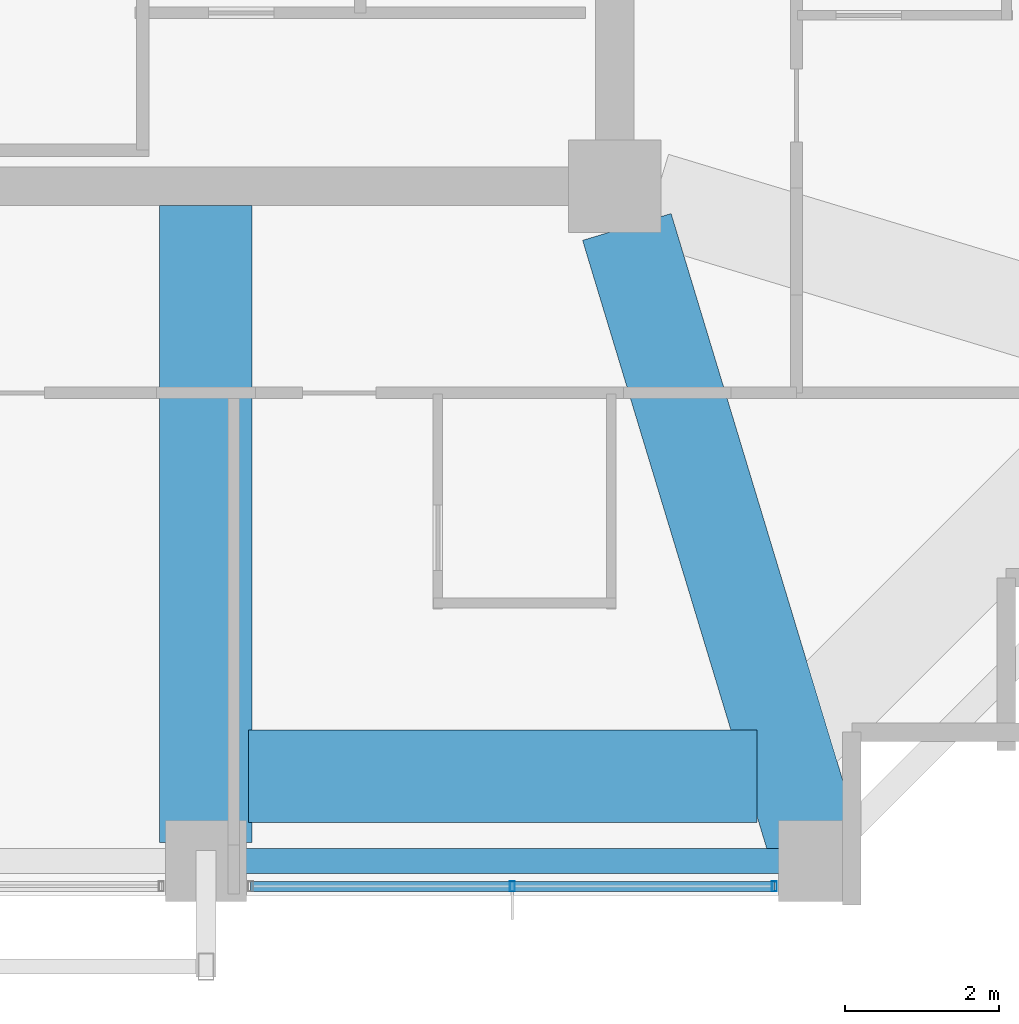
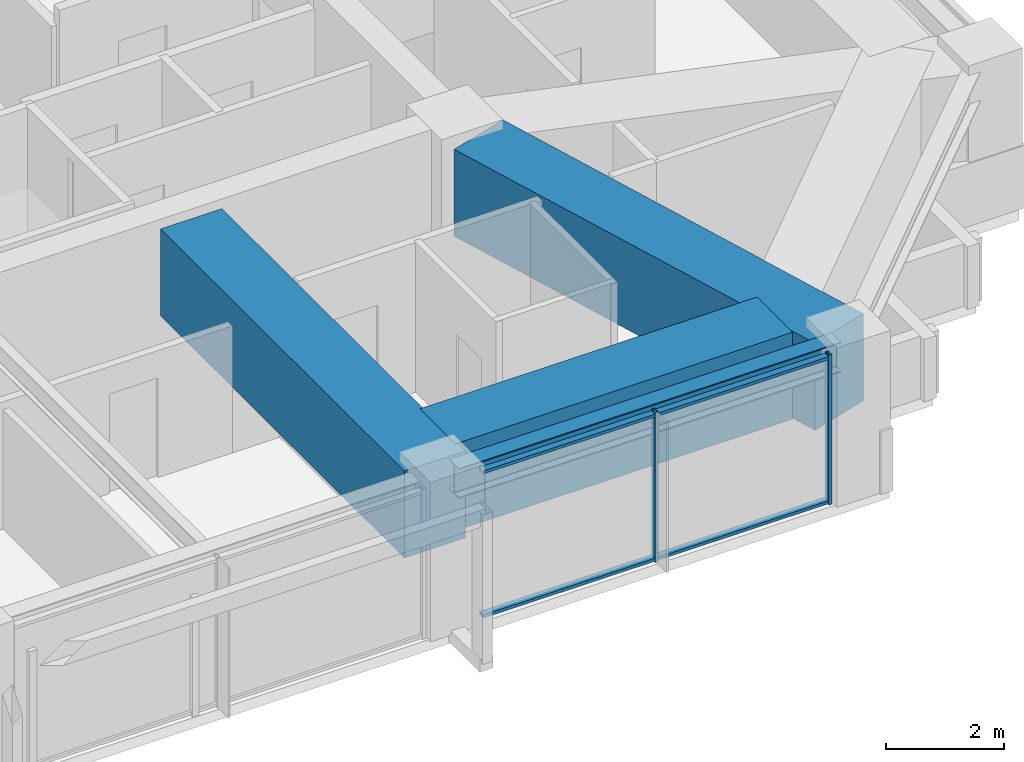
# One storey, part 6 of 28: 4 beams, 4 members, 1 element without a shape of its own.
"""IFC4 building model written with IfcOpenShell, lengths in metres."""

from ifc_helpers import new_model, si_unit, direction, frame, origin, origin_2d, place, context, subcontext, project, spatial, rectangle, hollow_rectangle, i_section, extrude, material, material_profile, profile_set, type_object, element, aggregate, save


model = new_model("IFC4")

# Units and contexts
model_context = context("Model", 3, precision=1e-05, world=origin(), true_north=direction((0.0, 1.0)))
body_context = subcontext(model_context, "Body", "Model", "MODEL_VIEW")
ifc_project = project(units=[si_unit("LENGTHUNIT", "METRE"), si_unit("AREAUNIT", "SQUARE_METRE"), si_unit("VOLUMEUNIT", "CUBIC_METRE"), si_unit("PLANEANGLEUNIT", "RADIAN"), si_unit("MASSUNIT", "GRAM", prefix="KILO")], contexts=[model_context])

# Site, building, storey
site_placement = place(None, origin())
site = spatial("IfcSite", under=ifc_project, at=site_placement, CompositionType="ELEMENT")
building_placement = place(site_placement, origin())
building = spatial("IfcBuilding", under=site, at=building_placement, Name="Kolvaren Belvedere", CompositionType="ELEMENT")
storey_placement = place(building_placement, frame((0.0, 0.0, 125.0)))
storey = spatial("IfcBuildingStorey", under=building, at=storey_placement, Name="L36", CompositionType="ELEMENT", Elevation=125.0)

# Beams
ifc_material_1 = material(Name="Structural steel ASTM A992 Grade 50", Category="steel")
ifc_material_profile_1 = material_profile(ifc_material_1, i_section(OverallWidth=0.324951171875, OverallDepth=0.615966796875, WebThickness=0.013916015625, FlangeThickness=0.021484375, FilletRadius=0.02001953125, at=origin_2d()), Name="W24X117")
ifc_profile_set_1 = profile_set([ifc_material_profile_1], Name="Structural steel ASTM A992 Grade 50")
beam_type_1 = type_object("IfcBeamType", Name="BM-SPAN-W24X117", PredefinedType="SPANDREL", material=ifc_profile_set_1)
beam_1_placement = place(storey_placement, frame((4.836181640625, -18.64990234375, 2.7919921875), z_axis=(1.0, 0.0, 0.0), x_axis=(0.0, 1.0, 0.0)))
element("IfcBeam", 1, at=beam_1_placement, inside=storey, type_object=beam_type_1, Name="L36 Perimeter Spandrel S3-S4", PredefinedType="SPANDREL", context=body_context, shape_type="SweptSolid", body=[
    extrude(i_section(OverallWidth=0.324951171875, OverallDepth=0.615966796875, WebThickness=0.013916015625, FlangeThickness=0.021484375, FilletRadius=0.02001953125, at=origin_2d()), origin(), (0.0, 0.0, 1.0), 7.4775390625),
])
ifc_material_2 = material(Name="Concrete C50/60", Category="concrete")
ifc_material_profile_2 = material_profile(ifc_material_2, rectangle(XDim=1.199951171875, YDim=1.800048828125, at=origin_2d()), Name="RC 1200X1800")
ifc_profile_set_2 = profile_set([ifc_material_profile_2], Name="Concrete C50/60")
beam_type_2 = type_object("IfcBeamType", Name="BM-TG-1800", PredefinedType="BEAM", material=ifc_profile_set_2)
beam_2_placement = place(storey_placement, frame((5.14990234375, -17.550048828125, 2.199951171875), z_axis=(1.0, 0.0, 0.0), x_axis=(0.0, 1.0, 0.0)))
element("IfcBeam", 2, at=beam_2_placement, inside=storey, type_object=beam_type_2, Name="L36 Step Transfer Ring Girder S3-S4", PredefinedType="BEAM", context=body_context, shape_type="SweptSolid", body=[
    extrude(rectangle(XDim=1.199951171875, YDim=1.800048828125, at=origin_2d()), origin(), (0.0, 0.0, 1.0), 6.60009765625),
])
beam_3_placement = place(storey_placement, frame((4.60009765625, -10.14990234375, 2.199951171875), z_axis=(0.0, -1.0, 0.0), x_axis=(1.0, 0.0, 0.0)))
element("IfcBeam", 3, at=beam_3_placement, inside=storey, type_object=beam_type_2, Name="L36 South Radial Girder P", PredefinedType="BEAM", context=body_context, shape_type="SweptSolid", body=[
    extrude(rectangle(XDim=1.199951171875, YDim=1.800048828125, at=origin_2d()), origin(), (0.0, 0.0, 1.0), 8.263916015625),
])
beam_4_placement = place(storey_placement, frame((10.059326171875, -10.426513671875, 2.199951171875), z_axis=(0.289858652454, -0.957069465398, 0.0), x_axis=(0.957069465398, 0.289858652454, 0.0)))
element("IfcBeam", 4, at=beam_4_placement, inside=storey, type_object=beam_type_2, Name="L36 Corner Core-to-Perimeter Girder CC2-S4", PredefinedType="BEAM", context=body_context, shape_type="SweptSolid", body=[
    extrude(rectangle(XDim=1.199951171875, YDim=1.800048828125, at=origin_2d()), origin(), (0.0, 0.0, 1.0), 8.38232421875),
])

# Curtain wall, members
ifc_material_3 = material(Name="Anodised pale-metal aluminium AA 6063-T6", Category="aluminium")
curtain_wall_type = type_object("IfcCurtainWallType", Name="CW-Z3-WAIST", PredefinedType="NOTDEFINED", material=ifc_material_3)
curtain_wall_placement = place(storey_placement, origin())
curtain_wall = element("IfcCurtainWall", 5, at=curtain_wall_placement, inside=storey, type_object=curtain_wall_type, Name="L36 Unitised Curtain Wall FCW-L36-S-B1", PredefinedType="NOTDEFINED")
ifc_material_4 = material(Name="Anodised pale-metal aluminium AA 6063-T6", Category="aluminium")
ifc_material_profile_3 = material_profile(ifc_material_4, hollow_rectangle(XDim=0.06494140625, YDim=0.1298828125, WallThickness=0.00390625, at=origin_2d()), Name="ALU-MUL-130X65")
ifc_profile_set_3 = profile_set([ifc_material_profile_3], Name="Anodised pale-metal aluminium AA 6063-T6")
member_type_1 = type_object("IfcMemberType", Name="CW-MUL-130", PredefinedType="MULLION", material=ifc_profile_set_3)
member_1_placement = place(storey_placement, frame((11.972412109375, -18.97998046875, 0.0), z_axis=(0.0, 0.0, 1.0), x_axis=(1.0, 0.0, 0.0)))
member_1 = element("IfcMember", 6, at=member_1_placement, type_object=member_type_1, Name="FCW-L36-S-B1 Unitised Mullion 1", PredefinedType="MULLION", context=body_context, shape_type="SweptSolid", body=[
    extrude(hollow_rectangle(XDim=0.06494140625, YDim=0.1298828125, WallThickness=0.00390625, at=origin_2d()), origin(), (0.0, 0.0, 1.0), 3.10009765625),
])
member_2_placement = place(storey_placement, frame((8.574951171875, -18.97998046875, 0.0), z_axis=(0.0, 0.0, 1.0), x_axis=(1.0, 0.0, 0.0)))
member_2 = element("IfcMember", 7, at=member_2_placement, type_object=member_type_1, Name="FCW-L36-S-B1 Unitised Mullion 2", PredefinedType="MULLION", context=body_context, shape_type="SweptSolid", body=[
    extrude(hollow_rectangle(XDim=0.06494140625, YDim=0.1298828125, WallThickness=0.00390625, at=origin_2d()), origin(), (0.0, 0.0, 1.0), 3.10009765625),
])
ifc_material_5 = material(Name="Anodised pale-metal aluminium AA 6063-T6", Category="aluminium")
ifc_material_profile_4 = material_profile(ifc_material_5, hollow_rectangle(XDim=0.06005859375, YDim=0.1298828125, WallThickness=0.00390625, at=origin_2d()), Name="ALU-TRN-130X60")
ifc_profile_set_4 = profile_set([ifc_material_profile_4], Name="Anodised pale-metal aluminium AA 6063-T6")
member_type_2 = type_object("IfcMemberType", Name="CW-TRN-130", PredefinedType="USERDEFINED", material=ifc_profile_set_4)
member_3_placement = place(storey_placement, frame((11.972412109375, -18.97998046875, 0.06005859375), z_axis=(-1.0, 0.0, 0.0), x_axis=(0.0, 0.0, 1.0)))
member_3 = element("IfcMember", 8, at=member_3_placement, type_object=member_type_2, Name="FCW-L36-S-B1 Sill Transom", ObjectType="TRANSOM", PredefinedType="USERDEFINED", context=body_context, shape_type="SweptSolid", body=[
    extrude(hollow_rectangle(XDim=0.06005859375, YDim=0.1298828125, WallThickness=0.00390625, at=origin_2d()), origin(), (0.0, 0.0, 1.0), 6.794921875),
])
member_4_placement = place(storey_placement, frame((11.972412109375, -18.97998046875, 3.0400390625), z_axis=(-1.0, 0.0, 0.0), x_axis=(0.0, 0.0, 1.0)))
member_4 = element("IfcMember", 9, at=member_4_placement, type_object=member_type_2, Name="FCW-L36-S-B1 Head Transom", ObjectType="TRANSOM", PredefinedType="USERDEFINED", context=body_context, shape_type="SweptSolid", body=[
    extrude(hollow_rectangle(XDim=0.06005859375, YDim=0.1298828125, WallThickness=0.00390625, at=origin_2d()), origin(), (0.0, 0.0, 1.0), 6.794921875),
])
aggregate(curtain_wall, [member_1, member_2, member_3, member_4])

save(model, "model.ifc")
